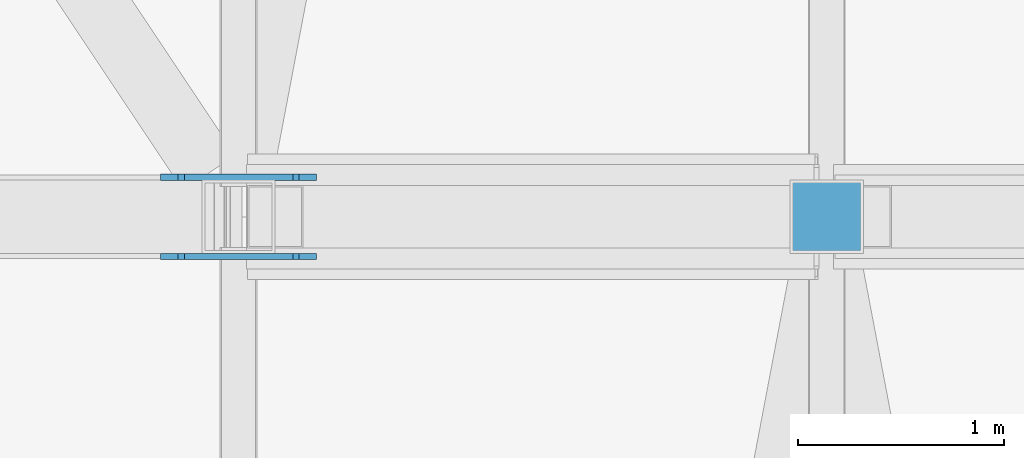
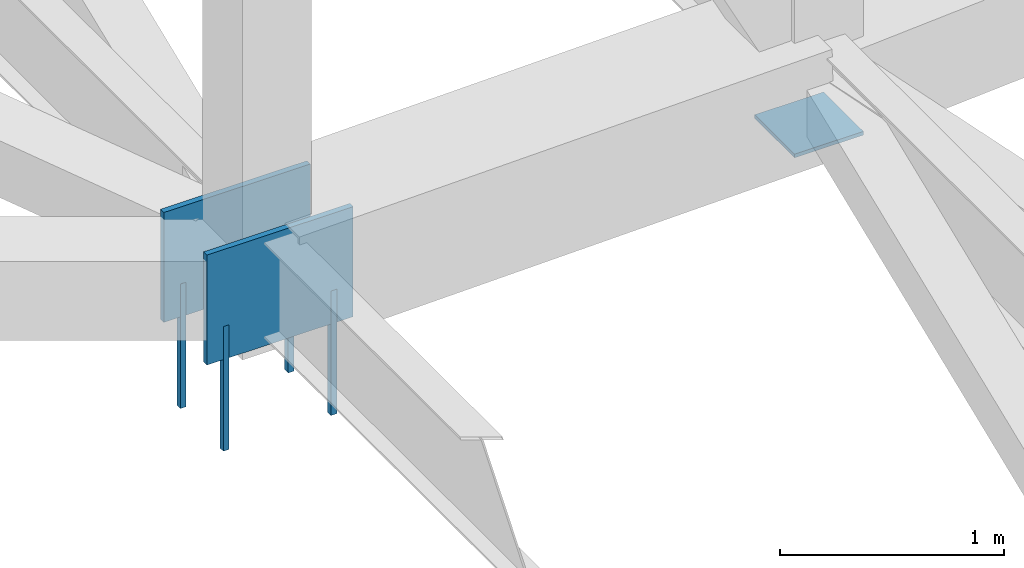
# One storey, part 155 of 278: 4 mechanical fasteners, 3 discrete accessories.
"""IFC4 building model written with IfcOpenShell, lengths in metres."""

from ifc_helpers import new_model, si_unit, direction, frame, origin, origin_2d, place, context, subcontext, project, spatial, rectangle, extrude, material, layer, layer_set, type_object, element, save


model = new_model("IFC4")

# Units and contexts
model_context = context("Model", 3, precision=1e-05, world=origin(), true_north=direction((0.0, 1.0)))
body_context = subcontext(model_context, "Body", "Model", "MODEL_VIEW")
ifc_project = project(units=[si_unit("LENGTHUNIT", "METRE"), si_unit("AREAUNIT", "SQUARE_METRE"), si_unit("VOLUMEUNIT", "CUBIC_METRE"), si_unit("PLANEANGLEUNIT", "RADIAN"), si_unit("MASSUNIT", "GRAM", prefix="KILO")], contexts=[model_context])

# Site, building, storey
site_placement = place(None, origin())
site = spatial("IfcSite", under=ifc_project, at=site_placement, CompositionType="ELEMENT")
building_placement = place(site_placement, origin())
building = spatial("IfcBuilding", under=site, at=building_placement, Name="Ogive Plaza Stadium", CompositionType="ELEMENT")
storey_placement = place(building_placement, frame((0.0, 0.0, 29.0)))
storey = spatial("IfcBuildingStorey", under=building, at=storey_placement, Name="Roof", CompositionType="ELEMENT", Elevation=29.0)

# Mechanical fasteners
ifc_material_1 = material(Name="Steel ASTM A992 Grade 50", Category="steel")
mechanical_fastener_type = type_object("IfcMechanicalFastenerType", Name="Anchor bolt M30 x 600", PredefinedType="ANCHORBOLT", material=ifc_material_1)
for number, where, z_axis, x_axis, name in (
    (1, (-74.27783203125, -22.69189453125, -0.5), (0.0, 0.0, 1.0), (-1.0, 0.0, 0.0), "ANCHOR BOLT 23 BP 1.1"),
    (2, (-73.72216796875, -22.69189453125, -0.5), (0.0, 0.0, 1.0), (-1.0, 0.0, 0.0), "ANCHOR BOLT 23 BP 1.2"),
    (3, (-74.27783203125, -22.30810546875, -0.5), (0.0, 0.0, 1.0), (-1.0, 0.0, 0.0), "ANCHOR BOLT 23 BP 2.1"),
    (4, (-73.72216796875, -22.30810546875, -0.5), (0.0, 0.0, 1.0), (-1.0, 0.0, 0.0), "ANCHOR BOLT 23 BP 2.2"),
):
    element("IfcMechanicalFastener", number, at=place(storey_placement, frame(where, z_axis=z_axis, x_axis=x_axis)), inside=storey, type_object=mechanical_fastener_type, Name=name, PredefinedType="ANCHORBOLT", context=body_context, shape_type="SweptSolid", body=[
        extrude(rectangle(XDim=0.030029296875, YDim=0.030029296875, at=origin_2d()), origin(), (0.0, 0.0, 1.0), 0.679931640625),
    ])

# Discrete accessories
ifc_material_2 = material(Name="Steel ASTM A992 Grade 50", Category="steel")
ifc_layer_1 = layer(ifc_material_2, 0.02001953125)
ifc_layer_set_1 = layer_set([ifc_layer_1], Name="Steel ASTM A992 Grade 50")
discrete_accessory_type_1 = type_object("IfcDiscreteAccessoryType", Name="Roof truss post cap plate 20", PredefinedType="ANCHORPLATE", material=ifc_layer_set_1)
discrete_accessory_placement = place(storey_placement, frame((-71.14990234375, -22.5, 0.04541015625), z_axis=(0.0, 0.0, 1.0), x_axis=(-1.0, 0.0, 0.0)))
element("IfcDiscreteAccessory", 5, at=discrete_accessory_placement, inside=storey, type_object=discrete_accessory_type_1, Name="ROOF TRUSS POST CAP PLATE 23 10", PredefinedType="ANCHORPLATE", context=body_context, shape_type="SweptSolid", body=[
    extrude(rectangle(XDim=0.355712890625, YDim=0.355712890625, at=origin_2d()), origin(), (0.0, 0.0, 1.0), 0.02001953125),
])
ifc_material_3 = material(Name="Steel ASTM A992 Grade 50", Category="steel")
ifc_layer_2 = layer(ifc_material_3, 0.030029296875)
ifc_layer_set_2 = layer_set([ifc_layer_2], Name="Steel ASTM A992 Grade 50")
discrete_accessory_type_2 = type_object("IfcDiscreteAccessoryType", Name="Truss root foot cleat plate 30", PredefinedType="ANCHORPLATE", material=ifc_layer_set_2)
for number, where, z_axis, x_axis, name in (
    (6, (-74.0, -22.69189453125, 0.0), (0.0, 0.0, 1.0), (-1.0, 0.0, 0.0), "TRUSS ROOT FOOT CLEAT PLATE 23 1"),
    (7, (-74.0, -22.30810546875, 0.0), (0.0, 0.0, 1.0), (-1.0, 0.0, 0.0), "TRUSS ROOT FOOT CLEAT PLATE 23 2"),
):
    element("IfcDiscreteAccessory", number, at=place(storey_placement, frame(where, z_axis=z_axis, x_axis=x_axis)), inside=storey, type_object=discrete_accessory_type_2, Name=name, PredefinedType="ANCHORPLATE", context=body_context, shape_type="SweptSolid", body=[
        extrude(rectangle(XDim=0.755615234375, YDim=0.030029296875, at=origin_2d()), origin(), (0.0, 0.0, 1.0), 0.60009765625),
    ])

save(model, "model.ifc")
